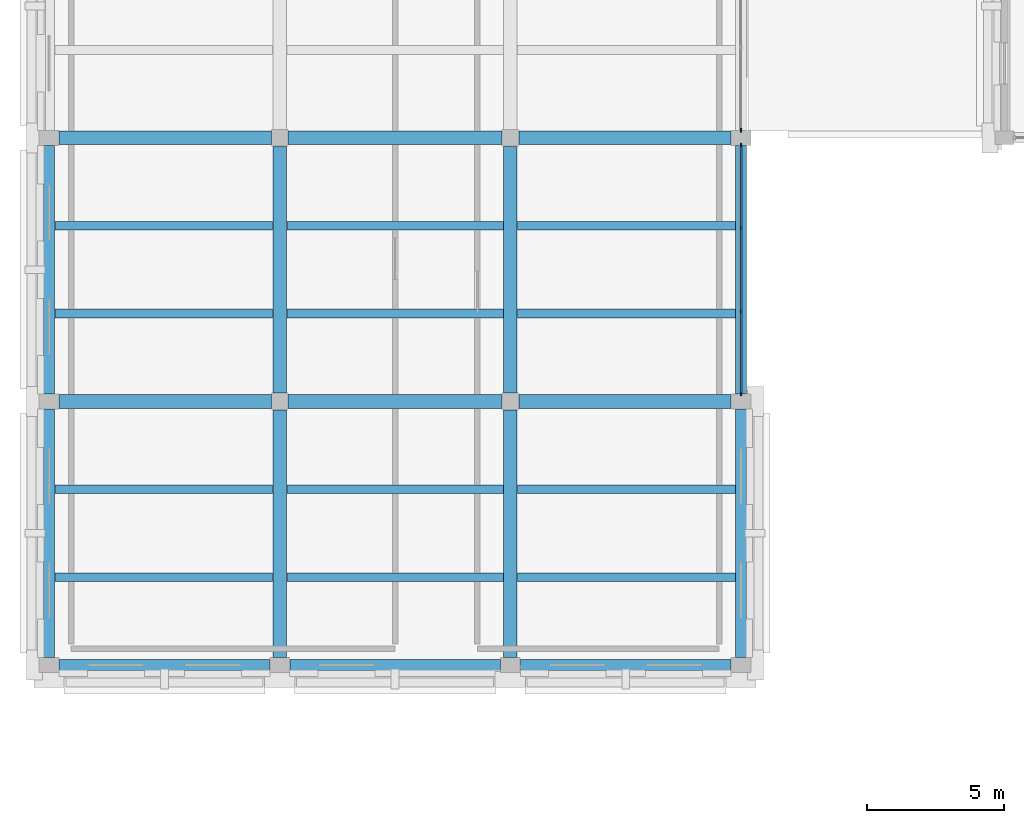
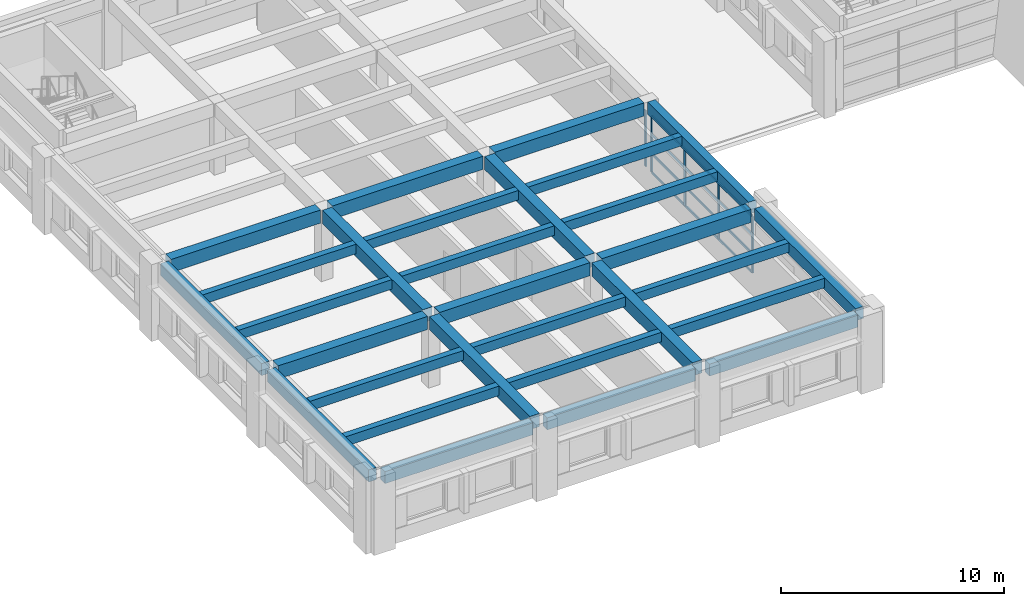
# One storey, part 11 of 71: 29 beams, 9 members, 2 elements without a shape of their own.
"""IFC4 building model written with IfcOpenShell, lengths in metres."""

from ifc_helpers import new_model, si_unit, direction, frame, origin, origin_2d, place, context, subcontext, project, spatial, rectangle, extrude, material, layer, layer_set, material_profile, profile_set, type_object, element, aggregate, save


model = new_model("IFC4")

# Units and contexts
model_context = context("Model", 3, precision=1e-05, world=origin(), true_north=direction((0.0, 1.0)))
body_context = subcontext(model_context, "Body", "Model", "MODEL_VIEW")
ifc_project = project(units=[si_unit("LENGTHUNIT", "METRE"), si_unit("AREAUNIT", "SQUARE_METRE"), si_unit("VOLUMEUNIT", "CUBIC_METRE"), si_unit("PLANEANGLEUNIT", "RADIAN"), si_unit("MASSUNIT", "GRAM", prefix="KILO")], contexts=[model_context])

# Site, building, storey
site_placement = place(None, origin())
site = spatial("IfcSite", under=ifc_project, at=site_placement, CompositionType="ELEMENT")
building_placement = place(site_placement, origin())
building = spatial("IfcBuilding", under=site, at=building_placement, Name="Bempovik Park Faculty of Sciences", CompositionType="ELEMENT")
storey_placement = place(building_placement, frame((0.0, 0.0, 14.10009765625)))
storey = spatial("IfcBuildingStorey", under=building, at=storey_placement, Name="L03", CompositionType="ELEMENT", Elevation=14.10009765625)

# Beams
ifc_material_1 = material(Name="Concrete C35/45", Category="concrete")
ifc_material_profile_1 = material_profile(ifc_material_1, rectangle(XDim=0.320068359375, YDim=0.52001953125, at=origin_2d()), Name="RC 320x520")
ifc_profile_set_1 = profile_set([ifc_material_profile_1], Name="Concrete C35/45")
beam_type_1 = type_object("IfcBeamType", Name="B-028 RC 320x520", PredefinedType="JOIST", material=ifc_profile_set_1)
for number, where, z_axis, x_axis, name in (
    (1, (15.805908203125, 51.800048828125, 3.639892578125), (1.0, 0.0, 0.0), (0.0, 1.0, 0.0), "L03 Secondary Joist (15.6-24.0, y=51.80)"),
    (2, (15.805908203125, 55.0, 3.639892578125), (1.0, 0.0, 0.0), (0.0, 1.0, 0.0), "L03 Secondary Joist (15.6-24.0, y=55.00)"),
    (3, (15.805908203125, 61.39990234375, 3.639892578125), (1.0, 0.0, 0.0), (0.0, 1.0, 0.0), "L03 Secondary Joist (15.6-24.0, y=61.40)"),
    (4, (15.805908203125, 64.60009765625, 3.639892578125), (1.0, 0.0, 0.0), (0.0, 1.0, 0.0), "L03 Secondary Joist (15.6-24.0, y=64.60)"),
):
    element("IfcBeam", number, at=place(storey_placement, frame(where, z_axis=z_axis, x_axis=x_axis)), inside=storey, type_object=beam_type_1, Name=name, PredefinedType="JOIST", context=body_context, shape_type="SweptSolid", body=[
        extrude(rectangle(XDim=0.320068359375, YDim=0.52001953125, at=origin_2d()), origin(), (0.0, 0.0, 1.0), 7.93798828125),
    ])
for number, where, z_axis, x_axis, name in (
    (5, (24.256103515625, 51.800048828125, 3.639892578125), (1.0, 0.0, 0.0), (0.0, 1.0, 0.0), "L03 Secondary Joist (24.0-32.4, y=51.80)"),
    (6, (24.256103515625, 55.0, 3.639892578125), (1.0, 0.0, 0.0), (0.0, 1.0, 0.0), "L03 Secondary Joist (24.0-32.4, y=55.00)"),
    (7, (24.256103515625, 61.39990234375, 3.639892578125), (1.0, 0.0, 0.0), (0.0, 1.0, 0.0), "L03 Secondary Joist (24.0-32.4, y=61.40)"),
    (8, (24.256103515625, 64.60009765625, 3.639892578125), (1.0, 0.0, 0.0), (0.0, 1.0, 0.0), "L03 Secondary Joist (24.0-32.4, y=64.60)"),
):
    element("IfcBeam", number, at=place(storey_placement, frame(where, z_axis=z_axis, x_axis=x_axis)), inside=storey, type_object=beam_type_1, Name=name, PredefinedType="JOIST", context=body_context, shape_type="SweptSolid", body=[
        extrude(rectangle(XDim=0.320068359375, YDim=0.52001953125, at=origin_2d()), origin(), (0.0, 0.0, 1.0), 7.887939453125),
    ])
for number, where, z_axis, x_axis, name in (
    (9, (32.656005859375, 51.800048828125, 3.639892578125), (1.0, 0.0, 0.0), (0.0, 1.0, 0.0), "L03 Secondary Joist (32.4-40.8, y=51.80)"),
    (10, (32.656005859375, 55.0, 3.639892578125), (1.0, 0.0, 0.0), (0.0, 1.0, 0.0), "L03 Secondary Joist (32.4-40.8, y=55.00)"),
    (11, (32.656005859375, 61.39990234375, 3.639892578125), (1.0, 0.0, 0.0), (0.0, 1.0, 0.0), "L03 Secondary Joist (32.4-40.8, y=61.40)"),
    (12, (32.656005859375, 64.60009765625, 3.639892578125), (1.0, 0.0, 0.0), (0.0, 1.0, 0.0), "L03 Secondary Joist (32.4-40.8, y=64.60)"),
):
    element("IfcBeam", number, at=place(storey_placement, frame(where, z_axis=z_axis, x_axis=x_axis)), inside=storey, type_object=beam_type_1, Name=name, PredefinedType="JOIST", context=body_context, shape_type="SweptSolid", body=[
        extrude(rectangle(XDim=0.320068359375, YDim=0.52001953125, at=origin_2d()), origin(), (0.0, 0.0, 1.0), 7.93798828125),
    ])
ifc_material_profile_2 = material_profile(ifc_material_1, rectangle(XDim=0.5, YDim=0.719970703125, at=origin_2d()), Name="RC 500x720")
ifc_profile_set_2 = profile_set([ifc_material_profile_2], Name="Concrete C35/45")
beam_type_2 = type_object("IfcBeamType", Name="B-092 RC 500x720", PredefinedType="BEAM", material=ifc_profile_set_2)
beam_1_placement = place(storey_placement, frame((15.966064453125, 58.199951171875, 3.539794921875), z_axis=(1.0, 0.0, 0.0), x_axis=(0.0, 1.0, 0.0)))
element("IfcBeam", 13, at=beam_1_placement, inside=storey, type_object=beam_type_2, Name="L03 Beam X (15.6-24.0, y=58.2)", PredefinedType="BEAM", context=body_context, shape_type="SweptSolid", body=[
    extrude(rectangle(XDim=0.5, YDim=0.719970703125, at=origin_2d()), origin(), (0.0, 0.0, 1.0), 7.72802734375),
])
beam_2_placement = place(storey_placement, frame((24.305908203125, 58.199951171875, 3.539794921875), z_axis=(1.0, 0.0, 0.0), x_axis=(0.0, 1.0, 0.0)))
element("IfcBeam", 14, at=beam_2_placement, inside=storey, type_object=beam_type_2, Name="L03 Beam X (24.0-32.4, y=58.2)", PredefinedType="BEAM", context=body_context, shape_type="SweptSolid", body=[
    extrude(rectangle(XDim=0.5, YDim=0.719970703125, at=origin_2d()), origin(), (0.0, 0.0, 1.0), 7.7880859375),
])
for number, where, z_axis, x_axis, name in (
    (15, (32.7060546875, 58.199951171875, 3.539794921875), (1.0, 0.0, 0.0), (0.0, 1.0, 0.0), "L03 Beam X (32.4-40.8, y=58.2)"),
    (16, (15.966064453125, 67.800048828125, 3.539794921875), (1.0, 0.0, 0.0), (0.0, 1.0, 0.0), "L03 Beam X (15.6-24.0, y=67.8)"),
):
    element("IfcBeam", number, at=place(storey_placement, frame(where, z_axis=z_axis, x_axis=x_axis)), inside=storey, type_object=beam_type_2, Name=name, PredefinedType="BEAM", context=body_context, shape_type="SweptSolid", body=[
        extrude(rectangle(XDim=0.5, YDim=0.719970703125, at=origin_2d()), origin(), (0.0, 0.0, 1.0), 7.72802734375),
    ])
beam_3_placement = place(storey_placement, frame((24.305908203125, 67.800048828125, 3.539794921875), z_axis=(1.0, 0.0, 0.0), x_axis=(0.0, 1.0, 0.0)))
element("IfcBeam", 17, at=beam_3_placement, inside=storey, type_object=beam_type_2, Name="L03 Beam X (24.0-32.4, y=67.8)", PredefinedType="BEAM", context=body_context, shape_type="SweptSolid", body=[
    extrude(rectangle(XDim=0.5, YDim=0.719970703125, at=origin_2d()), origin(), (0.0, 0.0, 1.0), 7.7880859375),
])
beam_4_placement = place(storey_placement, frame((32.7060546875, 67.800048828125, 3.539794921875), z_axis=(1.0, 0.0, 0.0), x_axis=(0.0, 1.0, 0.0)))
element("IfcBeam", 18, at=beam_4_placement, inside=storey, type_object=beam_type_2, Name="L03 Beam X (32.4-40.8, y=67.8)", PredefinedType="BEAM", context=body_context, shape_type="SweptSolid", body=[
    extrude(rectangle(XDim=0.5, YDim=0.719970703125, at=origin_2d()), origin(), (0.0, 0.0, 1.0), 7.72802734375),
])
beam_5_placement = place(storey_placement, frame((24.0, 48.8759765625, 3.539794921875), z_axis=(0.0, 1.0, 0.0), x_axis=(-1.0, 0.0, 0.0)))
element("IfcBeam", 19, at=beam_5_placement, inside=storey, type_object=beam_type_2, Name="L03 Beam Y (x=24.0, 48.6-58.2)", PredefinedType="BEAM", context=body_context, shape_type="SweptSolid", body=[
    extrude(rectangle(XDim=0.5, YDim=0.719970703125, at=origin_2d()), origin(), (0.0, 0.0, 1.0), 9.01806640625),
])
beam_6_placement = place(storey_placement, frame((24.0, 58.506103515625, 3.539794921875), z_axis=(0.0, 1.0, 0.0), x_axis=(-1.0, 0.0, 0.0)))
element("IfcBeam", 20, at=beam_6_placement, inside=storey, type_object=beam_type_2, Name="L03 Beam Y (x=24.0, 58.2-67.8)", PredefinedType="BEAM", context=body_context, shape_type="SweptSolid", body=[
    extrude(rectangle(XDim=0.5, YDim=0.719970703125, at=origin_2d()), origin(), (0.0, 0.0, 1.0), 8.98779296875),
])
beam_7_placement = place(storey_placement, frame((32.39990234375, 48.8759765625, 3.539794921875), z_axis=(0.0, 1.0, 0.0), x_axis=(-1.0, 0.0, 0.0)))
element("IfcBeam", 21, at=beam_7_placement, inside=storey, type_object=beam_type_2, Name="L03 Beam Y (x=32.4, 48.6-58.2)", PredefinedType="BEAM", context=body_context, shape_type="SweptSolid", body=[
    extrude(rectangle(XDim=0.5, YDim=0.719970703125, at=origin_2d()), origin(), (0.0, 0.0, 1.0), 9.01806640625),
])
beam_8_placement = place(storey_placement, frame((32.39990234375, 58.506103515625, 3.539794921875), z_axis=(0.0, 1.0, 0.0), x_axis=(-1.0, 0.0, 0.0)))
element("IfcBeam", 22, at=beam_8_placement, inside=storey, type_object=beam_type_2, Name="L03 Beam Y (x=32.4, 58.2-67.8)", PredefinedType="BEAM", context=body_context, shape_type="SweptSolid", body=[
    extrude(rectangle(XDim=0.5, YDim=0.719970703125, at=origin_2d()), origin(), (0.0, 0.0, 1.0), 8.98779296875),
])
ifc_material_profile_3 = material_profile(ifc_material_1, rectangle(XDim=0.39990234375, YDim=0.659912109375, at=origin_2d()), Name="RC 400x660")
ifc_profile_set_3 = profile_set([ifc_material_profile_3], Name="Concrete C35/45")
beam_type_3 = type_object("IfcBeamType", Name="B-097 RC 400x660", PredefinedType="SPANDREL", material=ifc_profile_set_3)
for number, where, z_axis, x_axis, name in (
    (23, (15.966064453125, 48.60009765625, 3.56982421875), (1.0, 0.0, 0.0), (0.0, 1.0, 0.0), "L03 Beam X (15.6-24.0, y=48.6)"),
    (24, (24.365966796875, 48.60009765625, 3.56982421875), (1.0, 0.0, 0.0), (0.0, 1.0, 0.0), "L03 Beam X (24.0-32.4, y=48.6)"),
    (25, (32.76611328125, 48.60009765625, 3.56982421875), (1.0, 0.0, 0.0), (0.0, 1.0, 0.0), "L03 Beam X (32.4-40.8, y=48.6)"),
):
    element("IfcBeam", number, at=place(storey_placement, frame(where, z_axis=z_axis, x_axis=x_axis)), inside=storey, type_object=beam_type_3, Name=name, PredefinedType="SPANDREL", context=body_context, shape_type="SweptSolid", body=[
        extrude(rectangle(XDim=0.39990234375, YDim=0.659912109375, at=origin_2d()), origin(), (0.0, 0.0, 1.0), 7.66796875),
    ])
beam_9_placement = place(storey_placement, frame((15.60009765625, 48.8759765625, 3.56982421875), z_axis=(0.0, 1.0, 0.0), x_axis=(-1.0, 0.0, 0.0)))
element("IfcBeam", 26, at=beam_9_placement, inside=storey, type_object=beam_type_3, Name="L03 Beam Y (x=15.6, 48.6-58.2)", PredefinedType="SPANDREL", context=body_context, shape_type="SweptSolid", body=[
    extrude(rectangle(XDim=0.39990234375, YDim=0.659912109375, at=origin_2d()), origin(), (0.0, 0.0, 1.0), 9.048095703125),
])
beam_10_placement = place(storey_placement, frame((15.60009765625, 58.47607421875, 3.56982421875), z_axis=(0.0, 1.0, 0.0), x_axis=(-1.0, 0.0, 0.0)))
element("IfcBeam", 27, at=beam_10_placement, inside=storey, type_object=beam_type_3, Name="L03 Beam Y (x=15.6, 58.2-67.8)", PredefinedType="SPANDREL", context=body_context, shape_type="SweptSolid", body=[
    extrude(rectangle(XDim=0.39990234375, YDim=0.659912109375, at=origin_2d()), origin(), (0.0, 0.0, 1.0), 9.0478515625),
])
beam_11_placement = place(storey_placement, frame((40.800048828125, 48.8759765625, 3.56982421875), z_axis=(0.0, 1.0, 0.0), x_axis=(-1.0, 0.0, 0.0)))
element("IfcBeam", 28, at=beam_11_placement, inside=storey, type_object=beam_type_3, Name="L03 Beam Y (x=40.8, 48.6-58.2)", PredefinedType="SPANDREL", context=body_context, shape_type="SweptSolid", body=[
    extrude(rectangle(XDim=0.39990234375, YDim=0.659912109375, at=origin_2d()), origin(), (0.0, 0.0, 1.0), 9.048095703125),
])
beam_12_placement = place(storey_placement, frame((40.800048828125, 58.47607421875, 3.56982421875), z_axis=(0.0, 1.0, 0.0), x_axis=(-1.0, 0.0, 0.0)))
element("IfcBeam", 29, at=beam_12_placement, inside=storey, type_object=beam_type_3, Name="L03 Beam Y (x=40.8, 58.2-67.8)", PredefinedType="SPANDREL", context=body_context, shape_type="SweptSolid", body=[
    extrude(rectangle(XDim=0.39990234375, YDim=0.659912109375, at=origin_2d()), origin(), (0.0, 0.0, 1.0), 9.0478515625),
])

# Curtain wall, members
ifc_material_2 = material(Name="Tempered laminated low-E glass", Category="glass")
ifc_layer = layer(ifc_material_2, 0.159912109375)
ifc_layer_set = layer_set([ifc_layer], Name="Tempered laminated low-E glass")
curtain_wall_type = type_object("IfcCurtainWallType", Name="CW-42 Curtain 6400x3700", PredefinedType="USERDEFINED", material=ifc_layer_set)
curtain_wall_1_placement = place(storey_placement, origin())
curtain_wall_1 = element("IfcCurtainWall", 30, at=curtain_wall_1_placement, inside=storey, type_object=curtain_wall_type, Name="L03 Unitised Curtain Wall (40.8,58.2)", ObjectType="UNITISED CURTAIN WALL", PredefinedType="USERDEFINED")
ifc_material_3 = material(Name="Anodised aluminium", Category="aluminium")
ifc_material_profile_4 = material_profile(ifc_material_3, rectangle(XDim=0.06005859375, YDim=0.14501953125, at=origin_2d()), Name="ALU-M 60x145")
ifc_profile_set_4 = profile_set([ifc_material_profile_4], Name="Anodised aluminium")
member_type_1 = type_object("IfcMemberType", Name="ML-22 ALU-M 60x145", PredefinedType="MULLION", material=ifc_profile_set_4)
member_1_placement = place(storey_placement, frame((40.800048828125, 58.471923828125, 0.0), z_axis=(0.0, 0.0, 1.0), x_axis=(1.0, 0.0, 0.0)))
member_1 = element("IfcMember", 31, at=member_1_placement, type_object=member_type_1, Name="CW-BAY-L03-408-582 Mullion 0", PredefinedType="MULLION", context=body_context, shape_type="SweptSolid", body=[
    extrude(rectangle(XDim=0.06005859375, YDim=0.14501953125, at=origin_2d()), origin(), (0.0, 0.0, 1.0), 3.079833984375),
])
member_2_placement = place(storey_placement, frame((40.800048828125, 61.49072265625, 0.0), z_axis=(0.0, 0.0, 1.0), x_axis=(1.0, 0.0, 0.0)))
member_2 = element("IfcMember", 32, at=member_2_placement, type_object=member_type_1, Name="CW-BAY-L03-408-582 Mullion 1", PredefinedType="MULLION", context=body_context, shape_type="SweptSolid", body=[
    extrude(rectangle(XDim=0.06005859375, YDim=0.14501953125, at=origin_2d()), origin(), (0.0, 0.0, 1.0), 3.079833984375),
])
member_3_placement = place(storey_placement, frame((40.800048828125, 64.50927734375, 0.0), z_axis=(0.0, 0.0, 1.0), x_axis=(1.0, 0.0, 0.0)))
member_3 = element("IfcMember", 33, at=member_3_placement, type_object=member_type_1, Name="CW-BAY-L03-408-582 Mullion 2", PredefinedType="MULLION", context=body_context, shape_type="SweptSolid", body=[
    extrude(rectangle(XDim=0.06005859375, YDim=0.14501953125, at=origin_2d()), origin(), (0.0, 0.0, 1.0), 3.079833984375),
])
member_4_placement = place(storey_placement, frame((40.800048828125, 67.528076171875, 0.0), z_axis=(0.0, 0.0, 1.0), x_axis=(1.0, 0.0, 0.0)))
member_4 = element("IfcMember", 34, at=member_4_placement, type_object=member_type_1, Name="CW-BAY-L03-408-582 Mullion 3", PredefinedType="MULLION", context=body_context, shape_type="SweptSolid", body=[
    extrude(rectangle(XDim=0.06005859375, YDim=0.14501953125, at=origin_2d()), origin(), (0.0, 0.0, 1.0), 3.079833984375),
])

# Curtain wall, member
curtain_wall_2_placement = place(storey_placement, origin())
curtain_wall_2 = element("IfcCurtainWall", 35, at=curtain_wall_2_placement, inside=storey, type_object=curtain_wall_type, Name="L03 Unitised Curtain Wall (40.8,67.8)", ObjectType="UNITISED CURTAIN WALL", PredefinedType="USERDEFINED")
member_5_placement = place(storey_placement, frame((40.800048828125, 68.072021484375, 0.0), z_axis=(0.0, 0.0, 1.0), x_axis=(1.0, 0.0, 0.0)))
member_5 = element("IfcMember", 36, at=member_5_placement, type_object=member_type_1, Name="CW-BAY-L03-408-678 Mullion 0", PredefinedType="MULLION", context=body_context, shape_type="SweptSolid", body=[
    extrude(rectangle(XDim=0.06005859375, YDim=0.14501953125, at=origin_2d()), origin(), (0.0, 0.0, 1.0), 3.079833984375),
])
aggregate(curtain_wall_2, [member_5])

# Member
ifc_material_profile_5 = material_profile(ifc_material_3, rectangle(XDim=0.06005859375, YDim=0.1201171875, at=origin_2d()), Name="ALU-T 60x120")
ifc_profile_set_5 = profile_set([ifc_material_profile_5], Name="Anodised aluminium")
member_type_2 = type_object("IfcMemberType", Name="TR-30 ALU-T 60x120", PredefinedType="USERDEFINED", material=ifc_profile_set_5)
member_6_placement = place(storey_placement, frame((40.800048828125, 58.511962890625, 0.0), z_axis=(0.0, 1.0, 0.0), x_axis=(-1.0, 0.0, 0.0)))
member_6 = element("IfcMember", 37, at=member_6_placement, type_object=member_type_2, Name="CW-BAY-L03-408-582 Transom 0", ObjectType="TRANSOM", PredefinedType="USERDEFINED", context=body_context, shape_type="SweptSolid", body=[
    extrude(rectangle(XDim=0.06005859375, YDim=0.1201171875, at=origin_2d()), origin(), (0.0, 0.0, 1.0), 8.97607421875),
])

member_7_placement = place(storey_placement, frame((40.800048828125, 58.511962890625, 1.026611328125), z_axis=(0.0, 1.0, 0.0), x_axis=(-1.0, 0.0, 0.0)))
member_7 = element("IfcMember", 38, at=member_7_placement, type_object=member_type_2, Name="CW-BAY-L03-408-582 Transom 1", ObjectType="TRANSOM", PredefinedType="USERDEFINED", context=body_context, shape_type="SweptSolid", body=[
    extrude(rectangle(XDim=0.06005859375, YDim=0.1201171875, at=origin_2d()), origin(), (0.0, 0.0, 1.0), 8.97607421875),
])

member_8_placement = place(storey_placement, frame((40.800048828125, 58.511962890625, 2.05322265625), z_axis=(0.0, 1.0, 0.0), x_axis=(-1.0, 0.0, 0.0)))
member_8 = element("IfcMember", 39, at=member_8_placement, type_object=member_type_2, Name="CW-BAY-L03-408-582 Transom 2", ObjectType="TRANSOM", PredefinedType="USERDEFINED", context=body_context, shape_type="SweptSolid", body=[
    extrude(rectangle(XDim=0.06005859375, YDim=0.1201171875, at=origin_2d()), origin(), (0.0, 0.0, 1.0), 8.97607421875),
])

member_9_placement = place(storey_placement, frame((40.800048828125, 58.511962890625, 3.079833984375), z_axis=(0.0, 1.0, 0.0), x_axis=(-1.0, 0.0, 0.0)))
member_9 = element("IfcMember", 40, at=member_9_placement, type_object=member_type_2, Name="CW-BAY-L03-408-582 Transom 3", ObjectType="TRANSOM", PredefinedType="USERDEFINED", context=body_context, shape_type="SweptSolid", body=[
    extrude(rectangle(XDim=0.06005859375, YDim=0.1201171875, at=origin_2d()), origin(), (0.0, 0.0, 1.0), 8.97607421875),
])

aggregate(curtain_wall_1, [member_1, member_2, member_3, member_4, member_6, member_7, member_8, member_9])

save(model, "model.ifc")
